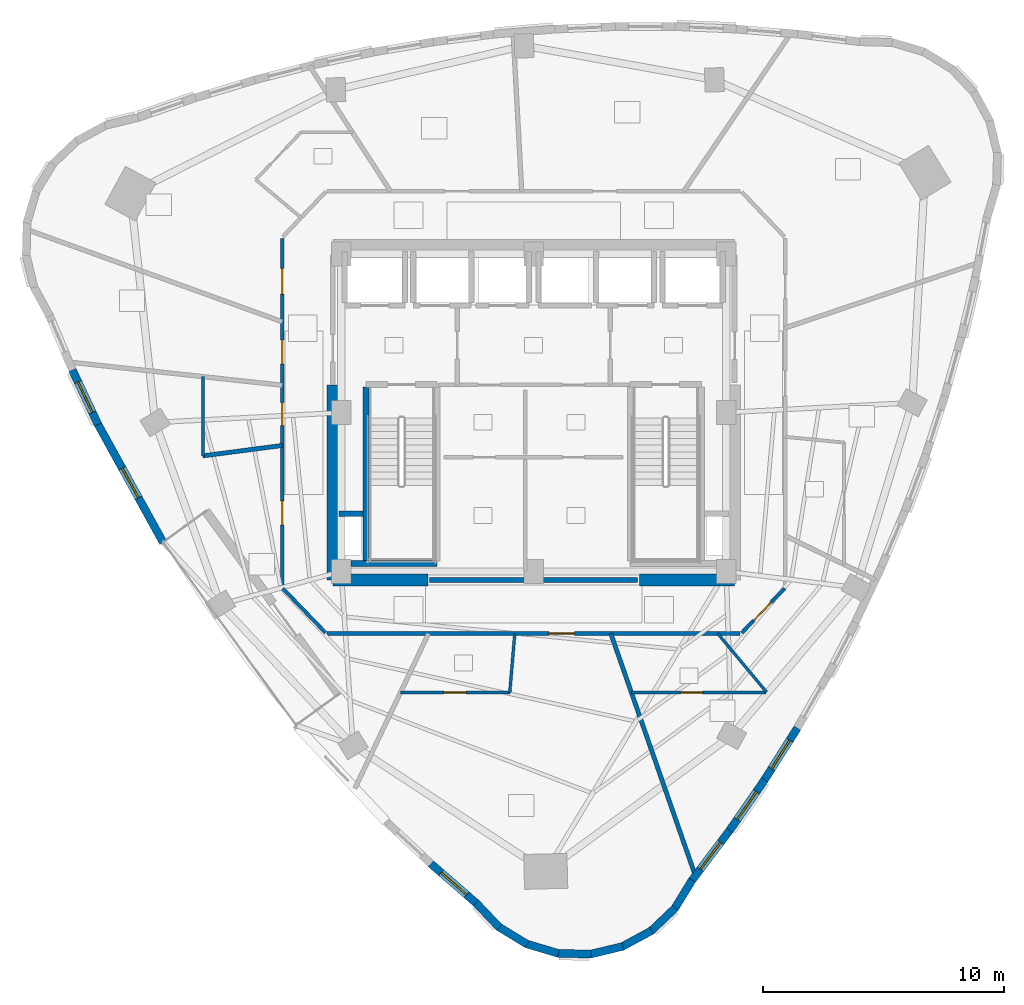
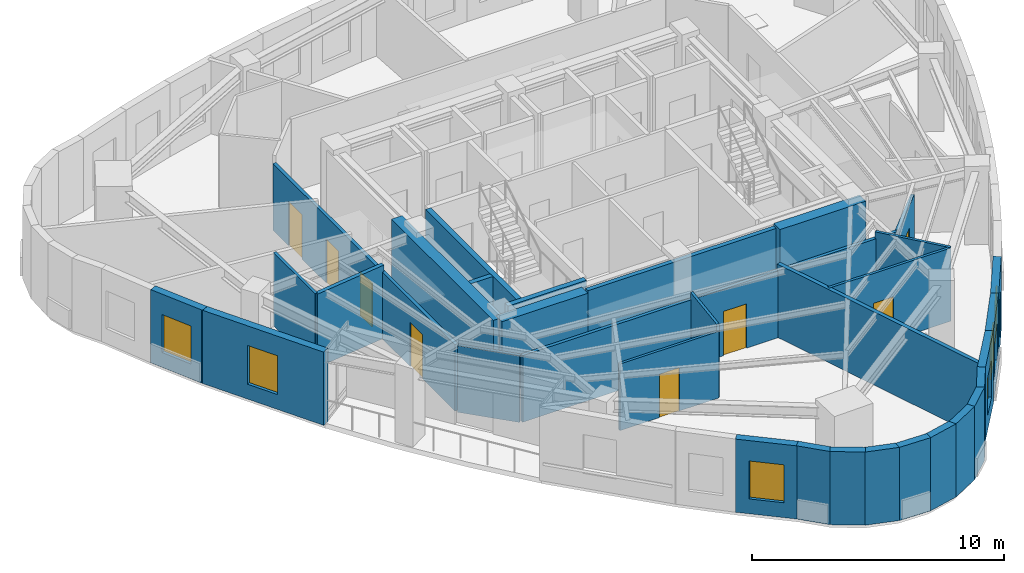
# One storey, part 6 of 12: 32 walls, 8 doors, 6 windows, 14 openings.
"""IFC4 building model written with IfcOpenShell, lengths in metres."""

from ifc_helpers import new_model, si_unit, direction, frame, frame_2d, origin, place, context, subcontext, project, spatial, rectangle, extrude, material, layer, layer_set, type_object, element, fill, save


model = new_model("IFC4")

# Units and contexts
model_context = context("Model", 3, precision=1e-05, world=origin(), true_north=direction((0.0, 1.0)))
body_context = subcontext(model_context, "Body", "Model", "MODEL_VIEW")
ifc_project = project(units=[si_unit("LENGTHUNIT", "METRE"), si_unit("AREAUNIT", "SQUARE_METRE"), si_unit("VOLUMEUNIT", "CUBIC_METRE"), si_unit("PLANEANGLEUNIT", "RADIAN"), si_unit("MASSUNIT", "GRAM", prefix="KILO")], contexts=[model_context])

# Site, building, storey
site_placement = place(None, origin())
site = spatial("IfcSite", under=ifc_project, at=site_placement, CompositionType="ELEMENT")
building_placement = place(site_placement, origin())
building = spatial("IfcBuilding", under=site, at=building_placement, Name="Ndelora Gate Hotel", CompositionType="ELEMENT")
storey_placement = place(building_placement, frame((0.0, 0.0, 232.14990234375)))
storey = spatial("IfcBuildingStorey", under=building, at=storey_placement, Name="L58", CompositionType="ELEMENT", Elevation=232.14990234375)

# Walls
ifc_material_1 = material(Name="Acoustic Double-Stud Gypsum Assembly", Category="gypsum")
ifc_layer_1 = layer(ifc_material_1, 0.179931640625)
ifc_layer_set_1 = layer_set([ifc_layer_1], Name="Acoustic Double-Stud Gypsum Assembly")
wall_type_1 = type_object("IfcWallType", Name="WL-ACOUST-180", PredefinedType="PARTITIONING", material=ifc_layer_set_1)
wall_1_placement = place(storey_placement, frame((-10.449951171875, -1.3662109375, 0.0), z_axis=(0.0, 0.0, 1.0), x_axis=(-0.991563556278, -0.129621425164, 0.0)))
element("IfcWall", 1, at=wall_1_placement, inside=storey, type_object=wall_type_1, Name="L58 Interior Wall IW-3", PredefinedType="PARTITIONING", context=body_context, shape_type="SweptSolid", body=[
    extrude(rectangle(XDim=3.328125, YDim=0.179931640625, at=frame_2d((1.6640625, 0.0))), origin(), (0.0, 0.0, 1.0), 3.550048828125),
])
wall_2_placement = place(storey_placement, frame((3.2041015625, -9.179931640625, 0.0), z_axis=(0.0, 0.0, 1.0), x_axis=(0.329550080766, -0.944138095973, 0.0)))
element("IfcWall", 2, at=wall_2_placement, inside=storey, type_object=wall_type_1, Name="L58 Interior Wall IW-3", PredefinedType="PARTITIONING", context=body_context, shape_type="SweptSolid", body=[
    extrude(rectangle(XDim=10.66796875, YDim=0.179931640625, at=frame_2d((5.333984375, 0.0))), origin(), (0.0, 0.0, 1.0), 3.550048828125),
])

# Wall, opening, window
ifc_material_2 = material(Name="Clay Brick Masonry", Category="masonry")
ifc_layer_2 = layer(ifc_material_2, 0.330078125)
ifc_layer_set_2 = layer_set([ifc_layer_2], Name="Clay Brick Masonry")
wall_type_2 = type_object("IfcWallType", Name="WL-BRICK-330", PredefinedType="SOLIDWALL", material=ifc_layer_set_2)
wall_3_placement = place(storey_placement, frame((-18.105224609375, -0.498291015625, 0.0), z_axis=(0.0, 0.0, 1.0), x_axis=(-0.425281427791, 0.905061162119, 0.0)))
wall_3 = element("IfcWall", 3, at=wall_3_placement, inside=storey, type_object=wall_type_2, Name="L58 Tower Brick Pier-and-Spandrel Wall TWR-10", PredefinedType="SOLIDWALL", context=body_context, shape_type="SweptSolid", body=[
    extrude(rectangle(XDim=2.5087890625, YDim=0.330078125, at=frame_2d((1.25439453125, 0.0))), origin(), (0.0, 0.0, 1.0), 3.550048828125),
])
opening_1_placement = place(wall_3_placement, frame((0.554443359375, 0.0, 0.719970703125)))
opening_1 = element("IfcOpeningElement", 4, at=opening_1_placement, cuts=wall_3, Name="Opening W02", PredefinedType="OPENING", context=body_context, shape_type="SweptSolid", body=[
    extrude(rectangle(XDim=1.39990234375, YDim=1.840087890625, at=frame_2d((0.699951171875, 0.919921875))), frame((0.0, 0.175048828125, 0.0), z_axis=(0.0, -1.0, 0.0), x_axis=(1.0, 0.0, 0.0)), (0.0, 0.0, 1.0), 0.35009765625),
])
ifc_material_3 = material(Name="Insulated Low-E Double Glazing in Bronze Aluminium Frame", Category="aluminium")
window_type = type_object("IfcWindowType", Name="WN-DEEP-1400", PartitioningType="SINGLE_PANEL", PredefinedType="WINDOW", material=ifc_material_3)
window_1_placement = place(opening_1_placement, origin())
window_1 = element("IfcWindow", 5, at=window_1_placement, inside=storey, type_object=window_type, Name="L58 Deep-Set Brick-Pier Window W02", OverallHeight=1.840087890625, OverallWidth=1.39990234375, PartitioningType="SINGLE_PANEL", PredefinedType="WINDOW", context=body_context, shape_type="SweptSolid", body=[
    extrude(rectangle(XDim=1.39990234375, YDim=1.840087890625, at=frame_2d((0.699951171875, 0.919921875))), frame((0.0, 0.030029296875, 0.0), z_axis=(0.0, -1.0, 0.0), x_axis=(1.0, 0.0, 0.0)), (0.0, 0.0, 1.0), 0.06005859375),
])
fill(opening_1, window_1)

wall_4_placement = place(storey_placement, frame((-15.395263671875, -5.406494140625, 0.0), z_axis=(0.0, 0.0, 1.0), x_axis=(-0.483083047652, 0.87557453656, 0.0)))
wall_4 = element("IfcWall", 6, at=wall_4_placement, inside=storey, type_object=wall_type_2, Name="L58 Tower Brick Pier-and-Spandrel Wall TWR-11", PredefinedType="SOLIDWALL", context=body_context, shape_type="SweptSolid", body=[
    extrude(rectangle(XDim=5.65673828125, YDim=0.330078125, at=frame_2d((2.828369140625, 0.0))), origin(), (0.0, 0.0, 1.0), 3.550048828125),
])
opening_2_placement = place(wall_4_placement, frame((2.12841796875, 0.0, 0.719970703125)))
opening_2 = element("IfcOpeningElement", 7, at=opening_2_placement, cuts=wall_4, Name="Opening W02", PredefinedType="OPENING", context=body_context, shape_type="SweptSolid", body=[
    extrude(rectangle(XDim=1.39990234375, YDim=1.8798828125, at=frame_2d((0.699951171875, 0.93994140625))), frame((0.0, 0.175048828125, 0.0), z_axis=(0.0, -1.0, 0.0), x_axis=(1.0, 0.0, 0.0)), (0.0, 0.0, 1.0), 0.35009765625),
])
window_2_placement = place(opening_2_placement, origin())
window_2 = element("IfcWindow", 8, at=window_2_placement, inside=storey, type_object=window_type, Name="L58 Deep-Set Brick-Pier Window W02", OverallHeight=1.8798828125, OverallWidth=1.39990234375, PartitioningType="SINGLE_PANEL", PredefinedType="WINDOW", context=body_context, shape_type="SweptSolid", body=[
    extrude(rectangle(XDim=1.39990234375, YDim=1.8798828125, at=frame_2d((0.699951171875, 0.93994140625))), frame((0.0, 0.030029296875, 0.0), z_axis=(0.0, -1.0, 0.0), x_axis=(1.0, 0.0, 0.0)), (0.0, 0.0, 1.0), 0.06005859375),
])
fill(opening_2, window_2)

wall_5_placement = place(storey_placement, frame((-2.3662109375, -20.40576171875, 0.0), z_axis=(0.0, 0.0, 1.0), x_axis=(-0.755166427135, 0.655533116881, 0.0)))
wall_5 = element("IfcWall", 9, at=wall_5_placement, inside=storey, type_object=wall_type_2, Name="L58 Tower Brick Pier-and-Spandrel Wall TWR-18", PredefinedType="SOLIDWALL", context=body_context, shape_type="SweptSolid", body=[
    extrude(rectangle(XDim=2.52880859375, YDim=0.330078125, at=frame_2d((1.264404296875, 0.0))), origin(), (0.0, 0.0, 1.0), 3.550048828125),
])
opening_3_placement = place(wall_5_placement, frame((0.564453125, 0.0, 0.719970703125)))
opening_3 = element("IfcOpeningElement", 10, at=opening_3_placement, cuts=wall_5, Name="Opening W02", PredefinedType="OPENING", context=body_context, shape_type="SweptSolid", body=[
    extrude(rectangle(XDim=1.39990234375, YDim=1.840087890625, at=frame_2d((0.699951171875, 0.919921875))), frame((0.0, 0.175048828125, 0.0), z_axis=(0.0, -1.0, 0.0), x_axis=(1.0, 0.0, 0.0)), (0.0, 0.0, 1.0), 0.35009765625),
])
window_3_placement = place(opening_3_placement, origin())
window_3 = element("IfcWindow", 11, at=window_3_placement, inside=storey, type_object=window_type, Name="L58 Deep-Set Brick-Pier Window W02", OverallHeight=1.840087890625, OverallWidth=1.39990234375, PartitioningType="SINGLE_PANEL", PredefinedType="WINDOW", context=body_context, shape_type="SweptSolid", body=[
    extrude(rectangle(XDim=1.39990234375, YDim=1.840087890625, at=frame_2d((0.699951171875, 0.919921875))), frame((0.0, 0.030029296875, 0.0), z_axis=(0.0, -1.0, 0.0), x_axis=(1.0, 0.0, 0.0)), (0.0, 0.0, 1.0), 0.06005859375),
])
fill(opening_3, window_3)

# Walls
wall_6_placement = place(storey_placement, frame((-1.43359375, -21.39208984375, 0.0), z_axis=(0.0, 0.0, 1.0), x_axis=(-0.688302566146, 0.725423722687, 0.0)))
element("IfcWall", 12, at=wall_6_placement, inside=storey, type_object=wall_type_2, Name="L58 Tower Brick Pier-and-Spandrel Wall TWR-19", PredefinedType="SOLIDWALL", context=body_context, shape_type="SweptSolid", body=[
    extrude(rectangle(XDim=1.407470703125, YDim=0.330078125, at=frame_2d((0.70361328125, 0.0))), origin(), (0.0, 0.0, 1.0), 3.550048828125),
])
wall_7_placement = place(storey_placement, frame((-0.27197265625, -22.09619140625, 0.0), z_axis=(0.0, 0.0, 1.0), x_axis=(-0.852633662668, 0.522509174355, 0.0)))
element("IfcWall", 13, at=wall_7_placement, inside=storey, type_object=wall_type_2, Name="L58 Tower Brick Pier-and-Spandrel Wall TWR-20", PredefinedType="SOLIDWALL", context=body_context, shape_type="SweptSolid", body=[
    extrude(rectangle(XDim=1.4072265625, YDim=0.330078125, at=frame_2d((0.70361328125, 0.0))), origin(), (0.0, 0.0, 1.0), 3.550048828125),
])
for number, where, z_axis, x_axis, name in (
    (14, (1.0322265625, -22.475830078125, 0.0), (0.0, 0.0, 1.0), (-0.95884184708, 0.283940684455, 0.0), "L58 Tower Brick Pier-and-Spandrel Wall TWR-21"),
    (15, (2.390380859375, -22.5048828125, 0.0), (0.0, 0.0, 1.0), (-0.999656913907, 0.02619264168, 0.0), "L58 Tower Brick Pier-and-Spandrel Wall TWR-22"),
    (16, (3.709716796875, -22.181640625, 0.0), (0.0, 0.0, 1.0), (-0.972404618844, -0.233300787076, 0.0), "L58 Tower Brick Pier-and-Spandrel Wall TWR-23"),
):
    element("IfcWall", number, at=place(storey_placement, frame(where, z_axis=z_axis, x_axis=x_axis)), inside=storey, type_object=wall_type_2, Name=name, PredefinedType="SOLIDWALL", context=body_context, shape_type="SweptSolid", body=[
        extrude(rectangle(XDim=1.407470703125, YDim=0.330078125, at=frame_2d((0.70361328125, 0.0))), origin(), (0.0, 0.0, 1.0), 3.550048828125),
    ])
wall_8_placement = place(storey_placement, frame((4.900146484375, -21.52783203125, 0.0), z_axis=(0.0, 0.0, 1.0), x_axis=(-0.878861744685, -0.477076549129, 0.0)))
element("IfcWall", 17, at=wall_8_placement, inside=storey, type_object=wall_type_2, Name="L58 Tower Brick Pier-and-Spandrel Wall TWR-24", PredefinedType="SOLIDWALL", context=body_context, shape_type="SweptSolid", body=[
    extrude(rectangle(XDim=1.4072265625, YDim=0.330078125, at=frame_2d((0.70361328125, 0.0))), origin(), (0.0, 0.0, 1.0), 3.550048828125),
])
for number, where, z_axis, x_axis, name in (
    (18, (5.881103515625, -20.588134765625, 0.0), (0.0, 0.0, 1.0), (-0.725423722687, -0.688302566146, 0.0), "L58 Tower Brick Pier-and-Spandrel Wall TWR-25"),
    (19, (6.585205078125, -19.426513671875, 0.0), (0.0, 0.0, 1.0), (-0.522431898615, -0.852681013809, 0.0), "L58 Tower Brick Pier-and-Spandrel Wall TWR-26"),
):
    element("IfcWall", number, at=place(storey_placement, frame(where, z_axis=z_axis, x_axis=x_axis)), inside=storey, type_object=wall_type_2, Name=name, PredefinedType="SOLIDWALL", context=body_context, shape_type="SweptSolid", body=[
        extrude(rectangle(XDim=1.407470703125, YDim=0.330078125, at=frame_2d((0.70361328125, 0.0))), origin(), (0.0, 0.0, 1.0), 3.550048828125),
    ])

# Wall, opening, window
wall_9_placement = place(storey_placement, frame((8.140625, -17.365966796875, 0.0), z_axis=(0.0, 0.0, 1.0), x_axis=(-0.601735324528, -0.798695561034, 0.0)))
wall_9 = element("IfcWall", 20, at=wall_9_placement, inside=storey, type_object=wall_type_2, Name="L58 Tower Brick Pier-and-Spandrel Wall TWR-27", PredefinedType="SOLIDWALL", context=body_context, shape_type="SweptSolid", body=[
    extrude(rectangle(XDim=2.631591796875, YDim=0.330078125, at=frame_2d((1.31591796875, 0.0))), origin(), (0.0, 0.0, 1.0), 3.550048828125),
])
opening_4_placement = place(wall_9_placement, frame((0.61572265625, 0.0, 0.719970703125)))
opening_4 = element("IfcOpeningElement", 21, at=opening_4_placement, cuts=wall_9, Name="Opening W02", PredefinedType="OPENING", context=body_context, shape_type="SweptSolid", body=[
    extrude(rectangle(XDim=1.39990234375, YDim=1.840087890625, at=frame_2d((0.699951171875, 0.919921875))), frame((0.0, 0.175048828125, 0.0), z_axis=(0.0, -1.0, 0.0), x_axis=(1.0, 0.0, 0.0)), (0.0, 0.0, 1.0), 0.35009765625),
])
window_4_placement = place(opening_4_placement, origin())
window_4 = element("IfcWindow", 22, at=window_4_placement, inside=storey, type_object=window_type, Name="L58 Deep-Set Brick-Pier Window W02", OverallHeight=1.840087890625, OverallWidth=1.39990234375, PartitioningType="SINGLE_PANEL", PredefinedType="WINDOW", context=body_context, shape_type="SweptSolid", body=[
    extrude(rectangle(XDim=1.39990234375, YDim=1.840087890625, at=frame_2d((0.699951171875, 0.919921875))), frame((0.0, 0.030029296875, 0.0), z_axis=(0.0, -1.0, 0.0), x_axis=(1.0, 0.0, 0.0)), (0.0, 0.0, 1.0), 0.06005859375),
])
fill(opening_4, window_4)

wall_10_placement = place(storey_placement, frame((9.596923828125, -15.260498046875, 0.0), z_axis=(0.0, 0.0, 1.0), x_axis=(-0.569122418308, -0.822252803571, 0.0)))
wall_10 = element("IfcWall", 23, at=wall_10_placement, inside=storey, type_object=wall_type_2, Name="L58 Tower Brick Pier-and-Spandrel Wall TWR-28", PredefinedType="SOLIDWALL", context=body_context, shape_type="SweptSolid", body=[
    extrude(rectangle(XDim=2.60986328125, YDim=0.330078125, at=frame_2d((1.304931640625, 0.0))), origin(), (0.0, 0.0, 1.0), 3.550048828125),
])
opening_5_placement = place(wall_10_placement, frame((0.60498046875, 0.0, 0.719970703125)))
opening_5 = element("IfcOpeningElement", 24, at=opening_5_placement, cuts=wall_10, Name="Opening W02", PredefinedType="OPENING", context=body_context, shape_type="SweptSolid", body=[
    extrude(rectangle(XDim=1.39990234375, YDim=1.840087890625, at=frame_2d((0.699951171875, 0.919921875))), frame((0.0, 0.175048828125, 0.0), z_axis=(0.0, -1.0, 0.0), x_axis=(1.0, 0.0, 0.0)), (0.0, 0.0, 1.0), 0.35009765625),
])
window_5_placement = place(opening_5_placement, origin())
window_5 = element("IfcWindow", 25, at=window_5_placement, inside=storey, type_object=window_type, Name="L58 Deep-Set Brick-Pier Window W02", OverallHeight=1.840087890625, OverallWidth=1.39990234375, PartitioningType="SINGLE_PANEL", PredefinedType="WINDOW", context=body_context, shape_type="SweptSolid", body=[
    extrude(rectangle(XDim=1.39990234375, YDim=1.840087890625, at=frame_2d((0.699951171875, 0.919921875))), frame((0.0, 0.030029296875, 0.0), z_axis=(0.0, -1.0, 0.0), x_axis=(1.0, 0.0, 0.0)), (0.0, 0.0, 1.0), 0.06005859375),
])
fill(opening_5, window_5)

wall_11_placement = place(storey_placement, frame((10.956787109375, -13.112060546875, 0.0), z_axis=(0.0, 0.0, 1.0), x_axis=(-0.535186500918, -0.844733928072, 0.0)))
wall_11 = element("IfcWall", 26, at=wall_11_placement, inside=storey, type_object=wall_type_2, Name="L58 Tower Brick Pier-and-Spandrel Wall TWR-29", PredefinedType="SOLIDWALL", context=body_context, shape_type="SweptSolid", body=[
    extrude(rectangle(XDim=2.592529296875, YDim=0.330078125, at=frame_2d((1.29638671875, 0.0))), origin(), (0.0, 0.0, 1.0), 3.550048828125),
])
opening_6_placement = place(wall_11_placement, frame((0.59619140625, 0.0, 0.719970703125)))
opening_6 = element("IfcOpeningElement", 27, at=opening_6_placement, cuts=wall_11, Name="Opening W02", PredefinedType="OPENING", context=body_context, shape_type="SweptSolid", body=[
    extrude(rectangle(XDim=1.39990234375, YDim=1.840087890625, at=frame_2d((0.699951171875, 0.919921875))), frame((0.0, 0.175048828125, 0.0), z_axis=(0.0, -1.0, 0.0), x_axis=(1.0, 0.0, 0.0)), (0.0, 0.0, 1.0), 0.35009765625),
])
window_6_placement = place(opening_6_placement, origin())
window_6 = element("IfcWindow", 28, at=window_6_placement, inside=storey, type_object=window_type, Name="L58 Deep-Set Brick-Pier Window W02", OverallHeight=1.840087890625, OverallWidth=1.39990234375, PartitioningType="SINGLE_PANEL", PredefinedType="WINDOW", context=body_context, shape_type="SweptSolid", body=[
    extrude(rectangle(XDim=1.39990234375, YDim=1.840087890625, at=frame_2d((0.699951171875, 0.919921875))), frame((0.0, 0.030029296875, 0.0), z_axis=(0.0, -1.0, 0.0), x_axis=(1.0, 0.0, 0.0)), (0.0, 0.0, 1.0), 0.06005859375),
])
fill(opening_6, window_6)

# Walls
ifc_material_4 = material(Name="Concrete C50/60", Category="concrete")
ifc_layer_3 = layer(ifc_material_4, 0.5)
ifc_layer_set_3 = layer_set([ifc_layer_3], Name="Concrete C50/60")
wall_type_3 = type_object("IfcWallType", Name="WL-CORE-500", PredefinedType="SHEAR", material=ifc_layer_set_3)
for number, where, z_axis, x_axis, name in (
    (29, (-8.35009765625, -6.949951171875, 0.0), (0.0, 0.0, 1.0), (1.0, 0.0, 0.0), "L58 Core Shear Wall S-W"),
    (30, (4.39990234375, -6.949951171875, 0.0), (0.0, 0.0, 1.0), (1.0, 0.0, 0.0), "L58 Core Shear Wall S-E"),
):
    element("IfcWall", number, at=place(storey_placement, frame(where, z_axis=z_axis, x_axis=x_axis)), inside=storey, type_object=wall_type_3, Name=name, PredefinedType="SHEAR", context=body_context, shape_type="SweptSolid", body=[
        extrude(rectangle(XDim=3.9501953125, YDim=0.5, at=frame_2d((1.97509765625, 0.0))), origin(), (0.0, 0.0, 1.0), 3.550048828125),
    ])
wall_12_placement = place(storey_placement, frame((-8.35009765625, -6.949951171875, 0.0), z_axis=(0.0, 0.0, 1.0), x_axis=(0.0, 1.0, 0.0)))
element("IfcWall", 31, at=wall_12_placement, inside=storey, type_object=wall_type_3, Name="L58 Core Shear Wall W", PredefinedType="SHEAR", context=body_context, shape_type="SweptSolid", body=[
    extrude(rectangle(XDim=8.099853515625, YDim=0.5, at=frame_2d((4.0498046875, 0.0))), origin(), (0.0, 0.0, 1.0), 3.550048828125),
])
ifc_material_5 = material(Name="Concrete C40/50", Category="concrete")
ifc_layer_4 = layer(ifc_material_5, 0.199951171875)
ifc_layer_set_4 = layer_set([ifc_layer_4], Name="Concrete C40/50")
wall_type_4 = type_object("IfcWallType", Name="WL-FIRE-200", PredefinedType="PARTITIONING", material=ifc_layer_set_4)
wall_13_placement = place(storey_placement, frame((-4.320068359375, -6.949951171875, 0.0), z_axis=(0.0, 0.0, 1.0), x_axis=(1.0, 0.0, 0.0)))
element("IfcWall", 32, at=wall_13_placement, inside=storey, type_object=wall_type_4, Name="L58 Interior Wall IW-2", PredefinedType="PARTITIONING", context=body_context, shape_type="SweptSolid", body=[
    extrude(rectangle(XDim=8.64013671875, YDim=0.199951171875, at=frame_2d((4.320068359375, 0.0))), origin(), (0.0, 0.0, 1.0), 3.550048828125),
])

# Wall, opening, door
ifc_material_6 = material(Name="Fire-Rated Gypsum Stud Partition", Category="gypsum")
ifc_layer_5 = layer(ifc_material_6, 0.14990234375)
ifc_layer_set_5 = layer_set([ifc_layer_5], Name="Fire-Rated Gypsum Stud Partition")
wall_type_5 = type_object("IfcWallType", Name="WL-PART-150", PredefinedType="PARTITIONING", material=ifc_layer_set_5)
wall_14_placement = place(storey_placement, frame((8.580078125, -9.179931640625, 0.0), z_axis=(0.0, 0.0, 1.0), x_axis=(-1.0, 0.0, 0.0)))
wall_14 = element("IfcWall", 33, at=wall_14_placement, inside=storey, type_object=wall_type_5, Name="L58 Interior Wall IW-5", PredefinedType="PARTITIONING", context=body_context, shape_type="SweptSolid", body=[
    extrude(rectangle(XDim=17.16015625, YDim=0.14990234375, at=frame_2d((8.580078125, 0.0))), origin(), (0.0, 0.0, 1.0), 3.22998046875),
])
opening_7_placement = place(wall_14_placement, frame((6.8857421875, 0.0, 0.0)))
opening_7 = element("IfcOpeningElement", 34, at=opening_7_placement, cuts=wall_14, Name="Opening D07", PredefinedType="OPENING", context=body_context, shape_type="SweptSolid", body=[
    extrude(rectangle(XDim=1.06005859375, YDim=2.14990234375, at=frame_2d((0.530029296875, 1.074951171875))), frame((0.0, 0.0849609375, 0.0), z_axis=(0.0, -1.0, 0.0), x_axis=(1.0, 0.0, 0.0)), (0.0, 0.0, 1.0), 0.169921875),
])
ifc_material_7 = material(Name="Diplomatic Suite Acoustic Entrance Door", Category="wood")
door_type_1 = type_object("IfcDoorType", Name="DR-SUITE-1060", OperationType="SINGLE_SWING_LEFT", PredefinedType="DOOR", material=ifc_material_7)
door_1_placement = place(opening_7_placement, origin())
door_1 = element("IfcDoor", 35, at=door_1_placement, inside=storey, type_object=door_type_1, Name="L58 Highland Executive Two-Bay Suite 6101 Entrance Door", OperationType="SINGLE_SWING_LEFT", OverallHeight=2.14990234375, OverallWidth=1.06005859375, PredefinedType="DOOR", context=body_context, shape_type="SweptSolid", body=[
    extrude(rectangle(XDim=1.06005859375, YDim=2.14990234375, at=frame_2d((0.530029296875, 1.074951171875))), frame((0.0, 0.02490234375, 0.0), z_axis=(0.0, -1.0, 0.0), x_axis=(1.0, 0.0, 0.0)), (0.0, 0.0, 1.0), 0.050048828125),
])
fill(opening_7, door_1)

wall_15_placement = place(storey_placement, frame((10.42236328125, -7.308837890625, 0.0), z_axis=(0.0, 0.0, 1.0), x_axis=(-0.693764562202, -0.720201869085, 0.0)))
wall_15 = element("IfcWall", 36, at=wall_15_placement, inside=storey, type_object=wall_type_5, Name="L58 Interior Wall IW-5", PredefinedType="PARTITIONING", context=body_context, shape_type="SweptSolid", body=[
    extrude(rectangle(XDim=2.55810546875, YDim=0.14990234375, at=frame_2d((1.279052734375, 0.0))), origin(), (0.0, 0.0, 1.0), 3.22998046875),
])
opening_8_placement = place(wall_15_placement, frame((0.7890625, 0.0, 0.0)))
opening_8 = element("IfcOpeningElement", 37, at=opening_8_placement, cuts=wall_15, Name="Opening D07", PredefinedType="OPENING", context=body_context, shape_type="SweptSolid", body=[
    extrude(rectangle(XDim=1.06005859375, YDim=2.14990234375, at=frame_2d((0.530029296875, 1.074951171875))), frame((0.0, 0.0849609375, 0.0), z_axis=(0.0, -1.0, 0.0), x_axis=(1.0, 0.0, 0.0)), (0.0, 0.0, 1.0), 0.169921875),
])
door_2_placement = place(opening_8_placement, origin())
door_2 = element("IfcDoor", 38, at=door_2_placement, inside=storey, type_object=door_type_1, Name="L58 Corner Panoramic Executive Suite 6102 Entrance Door", OperationType="SINGLE_SWING_LEFT", OverallHeight=2.14990234375, OverallWidth=1.06005859375, PredefinedType="DOOR", context=body_context, shape_type="SweptSolid", body=[
    extrude(rectangle(XDim=1.06005859375, YDim=2.14990234375, at=frame_2d((0.530029296875, 1.074951171875))), frame((0.0, 0.02490234375, 0.0), z_axis=(0.0, -1.0, 0.0), x_axis=(1.0, 0.0, 0.0)), (0.0, 0.0, 1.0), 0.050048828125),
])
fill(opening_8, door_2)

# Wall, openings, doors
wall_16_placement = place(storey_placement, frame((-10.449951171875, -7.239990234375, 0.0), z_axis=(0.0, 0.0, 1.0), x_axis=(0.0, 1.0, 0.0)))
wall_16 = element("IfcWall", 39, at=wall_16_placement, inside=storey, type_object=wall_type_5, Name="L58 Interior Wall IW-5", PredefinedType="PARTITIONING", context=body_context, shape_type="SweptSolid", body=[
    extrude(rectangle(XDim=14.47998046875, YDim=0.14990234375, at=frame_2d((7.239990234375, 0.0))), origin(), (0.0, 0.0, 1.0), 3.22998046875),
])
opening_9_placement = place(wall_16_placement, frame((6.699951171875, 0.0, 0.0)))
opening_9 = element("IfcOpeningElement", 40, at=opening_9_placement, cuts=wall_16, Name="Opening D05", PredefinedType="OPENING", context=body_context, shape_type="SweptSolid", body=[
    extrude(rectangle(XDim=0.949951171875, YDim=2.10009765625, at=frame_2d((0.47509765625, 1.050048828125))), frame((0.0, 0.0849609375, 0.0), z_axis=(0.0, -1.0, 0.0), x_axis=(1.0, 0.0, 0.0)), (0.0, 0.0, 1.0), 0.169921875),
])
opening_10_placement = place(wall_16_placement, frame((9.2509765625, 0.0, 0.0)))
opening_10 = element("IfcOpeningElement", 41, at=opening_10_placement, cuts=wall_16, Name="Opening D01", PredefinedType="OPENING", context=body_context, shape_type="SweptSolid", body=[
    extrude(rectangle(XDim=1.0, YDim=2.14990234375, at=frame_2d((0.5, 1.074951171875))), frame((0.0, 0.0849609375, 0.0), z_axis=(0.0, -1.0, 0.0), x_axis=(1.0, 0.0, 0.0)), (0.0, 0.0, 1.0), 0.169921875),
])
opening_11_placement = place(wall_16_placement, frame((2.576904296875, 0.0, 0.0)))
opening_11 = element("IfcOpeningElement", 42, at=opening_11_placement, cuts=wall_16, Name="Opening D01", PredefinedType="OPENING", context=body_context, shape_type="SweptSolid", body=[
    extrude(rectangle(XDim=1.0, YDim=2.14990234375, at=frame_2d((0.5, 1.074951171875))), frame((0.0, 0.0849609375, 0.0), z_axis=(0.0, -1.0, 0.0), x_axis=(1.0, 0.0, 0.0)), (0.0, 0.0, 1.0), 0.169921875),
])
opening_12_placement = place(wall_16_placement, frame((12.16748046875, 0.0, 0.0)))
opening_12 = element("IfcOpeningElement", 43, at=opening_12_placement, cuts=wall_16, Name="Opening D07", PredefinedType="OPENING", context=body_context, shape_type="SweptSolid", body=[
    extrude(rectangle(XDim=1.06005859375, YDim=2.14990234375, at=frame_2d((0.530029296875, 1.074951171875))), frame((0.0, 0.0849609375, 0.0), z_axis=(0.0, -1.0, 0.0), x_axis=(1.0, 0.0, 0.0)), (0.0, 0.0, 1.0), 0.169921875),
])
ifc_material_8 = material(Name="Accessible Restroom Wide-Clearance Door", Category="wood")
door_type_2 = type_object("IfcDoorType", Name="DR-ACC-950", OperationType="SINGLE_SWING_LEFT", PredefinedType="DOOR", material=ifc_material_8)
door_3_placement = place(opening_9_placement, origin())
door_3 = element("IfcDoor", 44, at=door_3_placement, inside=storey, type_object=door_type_2, Name="L58 Accessible WC Entrance Door", OperationType="SINGLE_SWING_RIGHT", OverallHeight=2.10009765625, OverallWidth=0.949951171875, PredefinedType="DOOR", context=body_context, shape_type="SweptSolid", body=[
    extrude(rectangle(XDim=0.949951171875, YDim=2.10009765625, at=frame_2d((0.47509765625, 1.050048828125))), frame((0.0, 0.02490234375, 0.0), z_axis=(0.0, -1.0, 0.0), x_axis=(1.0, 0.0, 0.0)), (0.0, 0.0, 1.0), 0.050048828125),
])
fill(opening_9, door_3)
ifc_material_9 = material(Name="Acoustic Hardwood Guest Entrance Door", Category="wood")
door_type_3 = type_object("IfcDoorType", Name="DR-COR-1000", OperationType="SINGLE_SWING_LEFT", PredefinedType="DOOR", material=ifc_material_9)
door_4_placement = place(opening_10_placement, origin())
door_4 = element("IfcDoor", 45, at=door_4_placement, inside=storey, type_object=door_type_3, Name="L58 Housekeeping and Linen Room Entrance Door", OperationType="SINGLE_SWING_LEFT", OverallHeight=2.14990234375, OverallWidth=1.0, PredefinedType="DOOR", context=body_context, shape_type="SweptSolid", body=[
    extrude(rectangle(XDim=1.0, YDim=2.14990234375, at=frame_2d((0.5, 1.074951171875))), frame((0.0, 0.02490234375, 0.0), z_axis=(0.0, -1.0, 0.0), x_axis=(1.0, 0.0, 0.0)), (0.0, 0.0, 1.0), 0.050048828125),
])
fill(opening_10, door_4)
door_5_placement = place(opening_11_placement, origin())
door_5 = element("IfcDoor", 46, at=door_5_placement, inside=storey, type_object=door_type_3, Name="L58 Sky Garden Tea Dining Room Entrance Door", OperationType="SINGLE_SWING_LEFT", OverallHeight=2.14990234375, OverallWidth=1.0, PredefinedType="DOOR", context=body_context, shape_type="SweptSolid", body=[
    extrude(rectangle(XDim=1.0, YDim=2.14990234375, at=frame_2d((0.5, 1.074951171875))), frame((0.0, 0.02490234375, 0.0), z_axis=(0.0, -1.0, 0.0), x_axis=(1.0, 0.0, 0.0)), (0.0, 0.0, 1.0), 0.050048828125),
])
fill(opening_11, door_5)
door_6_placement = place(opening_12_placement, origin())
door_6 = element("IfcDoor", 47, at=door_6_placement, inside=storey, type_object=door_type_1, Name="L58 Altitude King Junior Suite 6104 Entrance Door", OperationType="SINGLE_SWING_LEFT", OverallHeight=2.14990234375, OverallWidth=1.06005859375, PredefinedType="DOOR", context=body_context, shape_type="SweptSolid", body=[
    extrude(rectangle(XDim=1.06005859375, YDim=2.14990234375, at=frame_2d((0.530029296875, 1.074951171875))), frame((0.0, 0.02490234375, 0.0), z_axis=(0.0, -1.0, 0.0), x_axis=(1.0, 0.0, 0.0)), (0.0, 0.0, 1.0), 0.050048828125),
])
fill(opening_12, door_6)

# Walls
wall_17_placement = place(storey_placement, frame((-8.647705078125, -9.151123046875, 0.0), z_axis=(0.0, 0.0, 1.0), x_axis=(-0.693764562202, 0.720201869085, 0.0)))
element("IfcWall", 48, at=wall_17_placement, inside=storey, type_object=wall_type_5, Name="L58 Interior Wall IW-5", PredefinedType="PARTITIONING", context=body_context, shape_type="SweptSolid", body=[
    extrude(rectangle(XDim=2.55810546875, YDim=0.14990234375, at=frame_2d((1.279052734375, 0.0))), origin(), (0.0, 0.0, 1.0), 3.22998046875),
])
ifc_layer_6 = layer(ifc_material_5, 0.219970703125)
ifc_layer_set_6 = layer_set([ifc_layer_6], Name="Concrete C40/50")
wall_type_6 = type_object("IfcWallType", Name="WL-SHAFT-220", PredefinedType="PARTITIONING", material=ifc_layer_set_6)
wall_18_placement = place(storey_placement, frame((-8.10009765625, -4.199951171875, 0.0), z_axis=(0.0, 0.0, 1.0), x_axis=(1.0, 0.0, 0.0)))
element("IfcWall", 49, at=wall_18_placement, inside=storey, type_object=wall_type_6, Name="L58 Interior Wall IW-1", PredefinedType="PARTITIONING", context=body_context, shape_type="SweptSolid", body=[
    extrude(rectangle(XDim=1.010009765625, YDim=0.219970703125, at=frame_2d((0.5048828125, 0.0))), origin(), (0.0, 0.0, 1.0), 3.550048828125),
])
ifc_layer_7 = layer(ifc_material_4, 0.239990234375)
ifc_layer_set_7 = layer_set([ifc_layer_7], Name="Concrete C50/60")
wall_type_7 = type_object("IfcWallType", Name="WL-STAIR-240", PredefinedType="SHEAR", material=ifc_layer_set_7)
wall_19_placement = place(storey_placement, frame((-6.969970703125, -6.159912109375, 0.0), z_axis=(0.0, 0.0, 1.0), x_axis=(0.0, 1.0, 0.0)))
element("IfcWall", 50, at=wall_19_placement, inside=storey, type_object=wall_type_7, Name="L58 Stair Core Shear Wall SW-ST", PredefinedType="SHEAR", context=body_context, shape_type="SweptSolid", body=[
    extrude(rectangle(XDim=7.219970703125, YDim=0.239990234375, at=frame_2d((3.60986328125, 0.0))), origin(), (0.0, 0.0, 1.0), 3.550048828125),
])
wall_20_placement = place(storey_placement, frame((-7.60009765625, -6.27001953125, 0.0), z_axis=(0.0, 0.0, 1.0), x_axis=(1.0, 0.0, 0.0)))
element("IfcWall", 51, at=wall_20_placement, inside=storey, type_object=wall_type_7, Name="L58 Stair Core Shear Wall SW-ST", PredefinedType="SHEAR", context=body_context, shape_type="SweptSolid", body=[
    extrude(rectangle(XDim=3.590087890625, YDim=0.239990234375, at=frame_2d((1.794921875, 0.0))), origin(), (0.0, 0.0, 1.0), 3.550048828125),
])
ifc_material_10 = material(Name="Moisture-Resistant Bathroom Tile Partition", Category="gypsum")
ifc_layer_8 = layer(ifc_material_10, 0.1201171875)
ifc_layer_set_8 = layer_set([ifc_layer_8], Name="Moisture-Resistant Bathroom Tile Partition")
wall_type_8 = type_object("IfcWallType", Name="WL-WET-120", PredefinedType="PARTITIONING", material=ifc_layer_set_8)
wall_21_placement = place(storey_placement, frame((-0.78564453125, -9.179931640625, 0.0), z_axis=(0.0, 0.0, 1.0), x_axis=(-0.085189929116, -0.996364730396, 0.0)))
element("IfcWall", 52, at=wall_21_placement, inside=storey, type_object=wall_type_8, Name="L58 Interior Wall IW-7", PredefinedType="PARTITIONING", context=body_context, shape_type="SweptSolid", body=[
    extrude(rectangle(XDim=2.458984375, YDim=0.1201171875, at=frame_2d((1.2294921875, 0.0))), origin(), (0.0, 0.0, 1.0), 3.550048828125),
])

# Wall, opening, door
wall_22_placement = place(storey_placement, frame((-0.9951171875, -11.6298828125, 0.0), z_axis=(0.0, 0.0, 1.0), x_axis=(-1.0, 0.0, 0.0)))
wall_22 = element("IfcWall", 53, at=wall_22_placement, inside=storey, type_object=wall_type_8, Name="L58 Interior Wall IW-7", PredefinedType="PARTITIONING", context=body_context, shape_type="SweptSolid", body=[
    extrude(rectangle(XDim=4.5390625, YDim=0.1201171875, at=frame_2d((2.26953125, 0.0))), origin(), (0.0, 0.0, 1.0), 3.22998046875),
])
opening_13_placement = place(wall_22_placement, frame((1.8095703125, 0.0, 0.0)))
opening_13 = element("IfcOpeningElement", 54, at=opening_13_placement, cuts=wall_22, Name="Opening D03", PredefinedType="OPENING", context=body_context, shape_type="SweptSolid", body=[
    extrude(rectangle(XDim=0.919921875, YDim=2.10009765625, at=frame_2d((0.4599609375, 1.050048828125))), frame((0.0, 0.070068359375, 0.0), z_axis=(0.0, -1.0, 0.0), x_axis=(1.0, 0.0, 0.0)), (0.0, 0.0, 1.0), 0.14013671875),
])
ifc_material_11 = material(Name="Moisture-Resistant Hardwood En-Suite Door", Category="wood")
door_type_4 = type_object("IfcDoorType", Name="DR-BATH-920", OperationType="SINGLE_SWING_LEFT", PredefinedType="DOOR", material=ifc_material_11)
door_7_placement = place(opening_13_placement, origin())
door_7 = element("IfcDoor", 55, at=door_7_placement, inside=storey, type_object=door_type_4, Name="L58 En-suite Bathroom 6101 Door", OperationType="SINGLE_SWING_RIGHT", OverallHeight=2.10009765625, OverallWidth=0.919921875, PredefinedType="DOOR", context=body_context, shape_type="SweptSolid", body=[
    extrude(rectangle(XDim=0.919921875, YDim=2.10009765625, at=frame_2d((0.4599609375, 1.050048828125))), frame((0.0, 0.02490234375, 0.0), z_axis=(0.0, -1.0, 0.0), x_axis=(1.0, 0.0, 0.0)), (0.0, 0.0, 1.0), 0.050048828125),
])
fill(opening_13, door_7)

# Wall
wall_23_placement = place(storey_placement, frame((9.676513671875, -11.61474609375, 0.0), z_axis=(0.0, 0.0, 1.0), x_axis=(-0.640055568221, 0.768328620832, 0.0)))
element("IfcWall", 56, at=wall_23_placement, inside=storey, type_object=wall_type_8, Name="L58 Interior Wall IW-7", PredefinedType="PARTITIONING", context=body_context, shape_type="SweptSolid", body=[
    extrude(rectangle(XDim=3.1689453125, YDim=0.1201171875, at=frame_2d((1.58447265625, 0.0))), origin(), (0.0, 0.0, 1.0), 3.550048828125),
])

# Wall, opening, door
wall_24_placement = place(storey_placement, frame((9.661865234375, -11.6298828125, 0.0), z_axis=(0.0, 0.0, 1.0), x_axis=(-1.0, 0.0, 0.0)))
wall_24 = element("IfcWall", 57, at=wall_24_placement, inside=storey, type_object=wall_type_8, Name="L58 Interior Wall IW-7", PredefinedType="PARTITIONING", context=body_context, shape_type="SweptSolid", body=[
    extrude(rectangle(XDim=5.6025390625, YDim=0.1201171875, at=frame_2d((2.80126953125, 0.0))), origin(), (0.0, 0.0, 1.0), 3.550048828125),
])
opening_14_placement = place(wall_24_placement, frame((2.639892578125, 0.0, 0.0)))
opening_14 = element("IfcOpeningElement", 58, at=opening_14_placement, cuts=wall_24, Name="Opening D03", PredefinedType="OPENING", context=body_context, shape_type="SweptSolid", body=[
    extrude(rectangle(XDim=0.919921875, YDim=2.10009765625, at=frame_2d((0.4599609375, 1.050048828125))), frame((0.0, 0.070068359375, 0.0), z_axis=(0.0, -1.0, 0.0), x_axis=(1.0, 0.0, 0.0)), (0.0, 0.0, 1.0), 0.14013671875),
])
door_8_placement = place(opening_14_placement, origin())
door_8 = element("IfcDoor", 59, at=door_8_placement, inside=storey, type_object=door_type_4, Name="L58 En-suite Bathroom 6102 Door", OperationType="SINGLE_SWING_LEFT", OverallHeight=2.10009765625, OverallWidth=0.919921875, PredefinedType="DOOR", context=body_context, shape_type="SweptSolid", body=[
    extrude(rectangle(XDim=0.919921875, YDim=2.10009765625, at=frame_2d((0.4599609375, 1.050048828125))), frame((0.0, 0.02490234375, 0.0), z_axis=(0.0, -1.0, 0.0), x_axis=(1.0, 0.0, 0.0)), (0.0, 0.0, 1.0), 0.050048828125),
])
fill(opening_14, door_8)

# Wall
ifc_material_12 = material(Name="Moisture-Resistant Fire-Rated Tile Partition", Category="gypsum")
ifc_layer_9 = layer(ifc_material_12, 0.1298828125)
ifc_layer_set_9 = layer_set([ifc_layer_9], Name="Moisture-Resistant Fire-Rated Tile Partition")
wall_type_9 = type_object("IfcWallType", Name="WL-WET-RATED", PredefinedType="PARTITIONING", material=ifc_layer_set_9)
wall_25_placement = place(storey_placement, frame((-13.75, -1.797607421875, 0.0), z_axis=(0.0, 0.0, 1.0), x_axis=(0.0, 1.0, 0.0)))
element("IfcWall", 60, at=wall_25_placement, inside=storey, type_object=wall_type_9, Name="L58 Interior Wall IW-6", PredefinedType="PARTITIONING", context=body_context, shape_type="SweptSolid", body=[
    extrude(rectangle(XDim=3.29296875, YDim=0.1298828125, at=frame_2d((1.646484375, 0.0))), origin(), (0.0, 0.0, 1.0), 3.550048828125),
])

save(model, "model.ifc")
